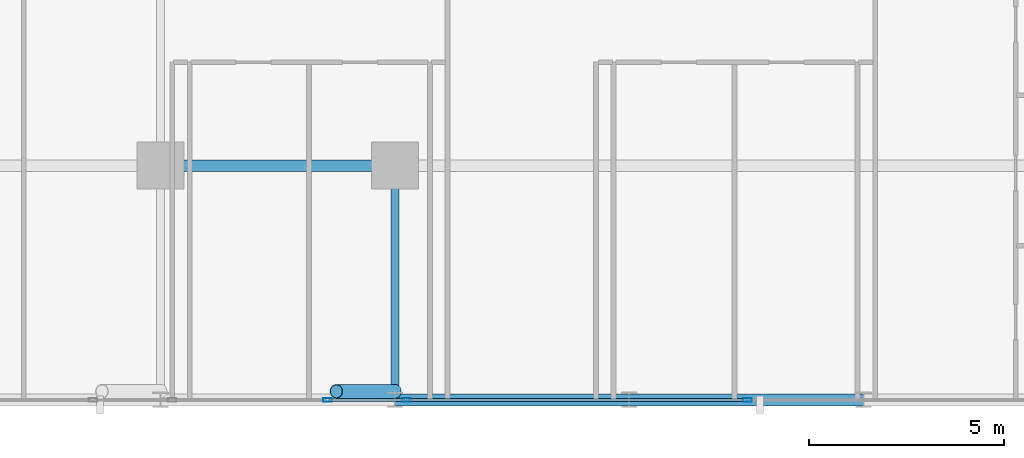
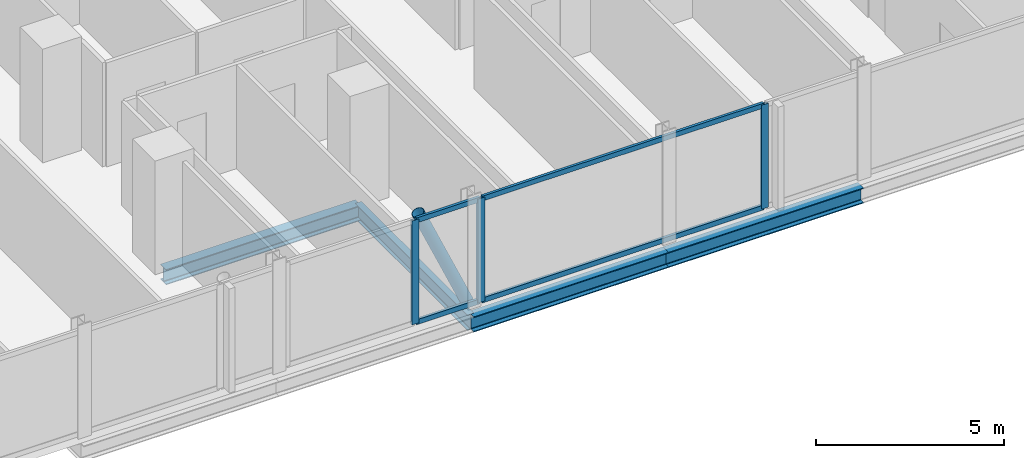
# One storey, part 8 of 34: 8 members, 4 beams, 2 elements without a shape of their own.
"""IFC4 building model written with IfcOpenShell, lengths in metres."""

from ifc_helpers import new_model, si_unit, direction, frame, origin, origin_2d, place, context, subcontext, project, spatial, hollow_rectangle, hollow_circle, i_section, extrude, material, layer, layer_set, material_profile, profile_set, type_object, element, aggregate, save


model = new_model("IFC4")

# Units and contexts
model_context = context("Model", 3, precision=1e-05, world=origin(), true_north=direction((0.0, 1.0)))
body_context = subcontext(model_context, "Body", "Model", "MODEL_VIEW")
ifc_project = project(units=[si_unit("LENGTHUNIT", "METRE"), si_unit("AREAUNIT", "SQUARE_METRE"), si_unit("VOLUMEUNIT", "CUBIC_METRE"), si_unit("PLANEANGLEUNIT", "RADIAN"), si_unit("MASSUNIT", "GRAM", prefix="KILO")], contexts=[model_context])

# Site, building, storey
site_placement = place(None, origin())
site = spatial("IfcSite", under=ifc_project, at=site_placement, CompositionType="ELEMENT")
building_placement = place(site_placement, origin())
building = spatial("IfcBuilding", under=site, at=building_placement, Name="Keshet Zoharim Tower", CompositionType="ELEMENT")
storey_placement = place(building_placement, frame((0.0, 0.0, 70.10009765625)))
storey = spatial("IfcBuildingStorey", under=building, at=storey_placement, Name="L16", CompositionType="ELEMENT", Elevation=70.10009765625)

# Beams
ifc_material_1 = material(Name="Steel S355", Category="steel")
ifc_material_profile_1 = material_profile(ifc_material_1, i_section(OverallWidth=0.199951171875, OverallDepth=0.5, WebThickness=0.01025390625, FlangeThickness=0.01611328125, FilletRadius=0.02099609375, at=origin_2d()), Name="IPE500")
ifc_profile_set_1 = profile_set([ifc_material_profile_1], Name="Steel S355")
beam_type_1 = type_object("IfcBeamType", Name="BM-PRI-IP500", PredefinedType="BEAM", material=ifc_profile_set_1)
beam_placement = place(storey_placement, frame((39.0, 0.699951171875, -0.565185546875), z_axis=(0.0, 1.0, 0.0), x_axis=(-1.0, 0.0, 0.0)))
element("IfcBeam", 1, at=beam_placement, inside=storey, type_object=beam_type_1, Name="L16 Primary Girder Y-012", PredefinedType="BEAM", context=body_context, shape_type="SweptSolid", body=[
    extrude(i_section(OverallWidth=0.199951171875, OverallDepth=0.5, WebThickness=0.01025390625, FlangeThickness=0.01611328125, FilletRadius=0.02099609375, at=origin_2d()), origin(), (0.0, 0.0, 1.0), 6.0),
])
ifc_material_profile_2 = material_profile(ifc_material_1, i_section(OverallWidth=0.300048828125, OverallDepth=0.5, WebThickness=0.014404296875, FlangeThickness=0.028076171875, FilletRadius=0.027099609375, at=origin_2d()), Name="HEB500")
ifc_profile_set_2 = profile_set([ifc_material_profile_2], Name="Steel S355")
beam_type_2 = type_object("IfcBeamType", Name="BM-WEB-HB500", PredefinedType="BEAM", material=ifc_profile_set_2)
for number, where, z_axis, x_axis, name in (
    (2, (39.0, 0.699951171875, -0.565185546875), (1.0, 0.0, 0.0), (0.0, 1.0, 0.0), "L16 Primary Girder X-003"),
    (3, (45.0, 0.699951171875, -0.565185546875), (1.0, 0.0, 0.0), (0.0, 1.0, 0.0), "L16 Primary Girder X-004"),
    (4, (33.0, 6.699951171875, -0.565185546875), (1.0, 0.0, 0.0), (0.0, 1.0, 0.0), "L16 Primary Girder X-008"),
):
    element("IfcBeam", number, at=place(storey_placement, frame(where, z_axis=z_axis, x_axis=x_axis)), inside=storey, type_object=beam_type_2, Name=name, PredefinedType="BEAM", context=body_context, shape_type="SweptSolid", body=[
        extrude(i_section(OverallWidth=0.300048828125, OverallDepth=0.5, WebThickness=0.014404296875, FlangeThickness=0.028076171875, FilletRadius=0.027099609375, at=origin_2d()), origin(), (0.0, 0.0, 1.0), 6.0),
    ])

# Curtain wall, members
ifc_material_2 = material(Name="Aluminium 6063-T6", Category="aluminium")
ifc_layer = layer(ifc_material_2, 0.179931640625)
ifc_layer_set = layer_set([ifc_layer], Name="Aluminium 6063-T6")
curtain_wall_type = type_object("IfcCurtainWallType", Name="CW-SYS-01", PredefinedType="NOTDEFINED", material=ifc_layer_set)
curtain_wall_1_placement = place(storey_placement, origin())
curtain_wall_1 = element("IfcCurtainWall", 5, at=curtain_wall_1_placement, inside=storey, type_object=curtain_wall_type, Name="L16 Unitised Curtain Wall 26", PredefinedType="NOTDEFINED")
ifc_material_profile_3 = material_profile(ifc_material_2, hollow_rectangle(XDim=0.090087890625, YDim=0.219970703125, WallThickness=0.0048828125, at=origin_2d()), Name="MUL-90x220")
ifc_profile_set_3 = profile_set([ifc_material_profile_3], Name="Aluminium 6063-T6")
member_type_1 = type_object("IfcMemberType", Name="CWM-M22", PredefinedType="MULLION", material=ifc_profile_set_3)
member_1_placement = place(storey_placement, frame((48.03271484375, 0.699951171875, 0.0), z_axis=(0.0, 0.0, 1.0), x_axis=(0.0, -1.0, 0.0)))
member_1 = element("IfcMember", 6, at=member_1_placement, type_object=member_type_1, Name="CW-01 mullion 2", PredefinedType="MULLION", context=body_context, shape_type="SweptSolid", body=[
    extrude(hollow_rectangle(XDim=0.090087890625, YDim=0.219970703125, WallThickness=0.0048828125, at=origin_2d()), origin(), (0.0, 0.0, 1.0), 3.385009765625),
])
member_2_placement = place(storey_placement, frame((39.297607421875, 0.699951171875, 0.0), z_axis=(0.0, 0.0, 1.0), x_axis=(0.0, -1.0, 0.0)))
member_2 = element("IfcMember", 7, at=member_2_placement, type_object=member_type_1, Name="CW-01 mullion 3", PredefinedType="MULLION", context=body_context, shape_type="SweptSolid", body=[
    extrude(hollow_rectangle(XDim=0.090087890625, YDim=0.219970703125, WallThickness=0.0048828125, at=origin_2d()), origin(), (0.0, 0.0, 1.0), 3.385009765625),
])

# Curtain wall, member
curtain_wall_2_placement = place(storey_placement, origin())
curtain_wall_2 = element("IfcCurtainWall", 8, at=curtain_wall_2_placement, inside=storey, type_object=curtain_wall_type, Name="L16 Unitised Curtain Wall 26 Part 2", PredefinedType="NOTDEFINED")
member_3_placement = place(storey_placement, frame((37.2724609375, 0.699951171875, 0.0), z_axis=(0.0, 0.0, 1.0), x_axis=(0.0, -1.0, 0.0)))
member_3 = element("IfcMember", 9, at=member_3_placement, type_object=member_type_1, Name="CW-01 mullion 2", PredefinedType="MULLION", context=body_context, shape_type="SweptSolid", body=[
    extrude(hollow_rectangle(XDim=0.090087890625, YDim=0.219970703125, WallThickness=0.0048828125, at=origin_2d()), origin(), (0.0, 0.0, 1.0), 3.385009765625),
])

# Member
ifc_material_profile_4 = material_profile(ifc_material_2, hollow_rectangle(XDim=0.0849609375, YDim=0.159912109375, WallThickness=0.00439453125, at=origin_2d()), Name="TRN-85x160")
ifc_profile_set_4 = profile_set([ifc_material_profile_4], Name="Aluminium 6063-T6")
member_type_2 = type_object("IfcMemberType", Name="CWT-T16", PredefinedType="USERDEFINED", material=ifc_profile_set_4)
member_4_placement = place(storey_placement, frame((47.997802734375, 0.699951171875, 0.034912109375), z_axis=(-1.0, 0.0, 0.0), x_axis=(0.0, -1.0, 0.0)))
member_4 = element("IfcMember", 10, at=member_4_placement, type_object=member_type_2, Name="CW-01 transom 2.1", ObjectType="TRANSOM", PredefinedType="USERDEFINED", context=body_context, shape_type="SweptSolid", body=[
    extrude(hollow_rectangle(XDim=0.0849609375, YDim=0.159912109375, WallThickness=0.00439453125, at=origin_2d()), origin(), (0.0, 0.0, 1.0), 8.665283203125),
])

member_5_placement = place(storey_placement, frame((47.997802734375, 0.699951171875, 3.349853515625), z_axis=(-1.0, 0.0, 0.0), x_axis=(0.0, -1.0, 0.0)))
member_5 = element("IfcMember", 11, at=member_5_placement, type_object=member_type_2, Name="CW-01 transom 2.2", ObjectType="TRANSOM", PredefinedType="USERDEFINED", context=body_context, shape_type="SweptSolid", body=[
    extrude(hollow_rectangle(XDim=0.0849609375, YDim=0.159912109375, WallThickness=0.00439453125, at=origin_2d()), origin(), (0.0, 0.0, 1.0), 8.665283203125),
])

aggregate(curtain_wall_1, [member_1, member_2, member_4, member_5])

member_6_placement = place(storey_placement, frame((39.2626953125, 0.699951171875, 0.034912109375), z_axis=(-1.0, 0.0, 0.0), x_axis=(0.0, -1.0, 0.0)))
member_6 = element("IfcMember", 12, at=member_6_placement, type_object=member_type_2, Name="CW-01 transom 1.1", ObjectType="TRANSOM", PredefinedType="USERDEFINED", context=body_context, shape_type="SweptSolid", body=[
    extrude(hollow_rectangle(XDim=0.0849609375, YDim=0.159912109375, WallThickness=0.00439453125, at=origin_2d()), origin(), (0.0, 0.0, 1.0), 1.955322265625),
])

member_7_placement = place(storey_placement, frame((39.2626953125, 0.699951171875, 3.349853515625), z_axis=(-1.0, 0.0, 0.0), x_axis=(0.0, -1.0, 0.0)))
member_7 = element("IfcMember", 13, at=member_7_placement, type_object=member_type_2, Name="CW-01 transom 1.2", ObjectType="TRANSOM", PredefinedType="USERDEFINED", context=body_context, shape_type="SweptSolid", body=[
    extrude(hollow_rectangle(XDim=0.0849609375, YDim=0.159912109375, WallThickness=0.00439453125, at=origin_2d()), origin(), (0.0, 0.0, 1.0), 1.955322265625),
])

aggregate(curtain_wall_2, [member_3, member_6, member_7])

ifc_material_profile_5 = material_profile(ifc_material_1, hollow_circle(Radius=0.177734375, WallThickness=0.012451171875, at=origin_2d()), Name="CHS355x12.5")
ifc_profile_set_5 = profile_set([ifc_material_profile_5], Name="Steel S355")
member_type_3 = type_object("IfcMemberType", Name="MB-BR-C355", PredefinedType="BRACE", material=ifc_profile_set_5)
member_8_placement = place(storey_placement, frame((39.0, 0.919921875, 0.0), z_axis=(-0.405134846829, 0.0, 0.91425694194), x_axis=(0.0, -1.0, 0.0)))
element("IfcMember", 14, at=member_8_placement, inside=storey, type_object=member_type_3, Name="L16 Perimeter Tube Brace 03", PredefinedType="BRACE", context=body_context, shape_type="SweptSolid", body=[
    extrude(hollow_circle(Radius=0.177734375, WallThickness=0.012451171875, at=origin_2d()), origin(), (0.0, 0.0, 1.0), 3.702392578125),
])

save(model, "model.ifc")
